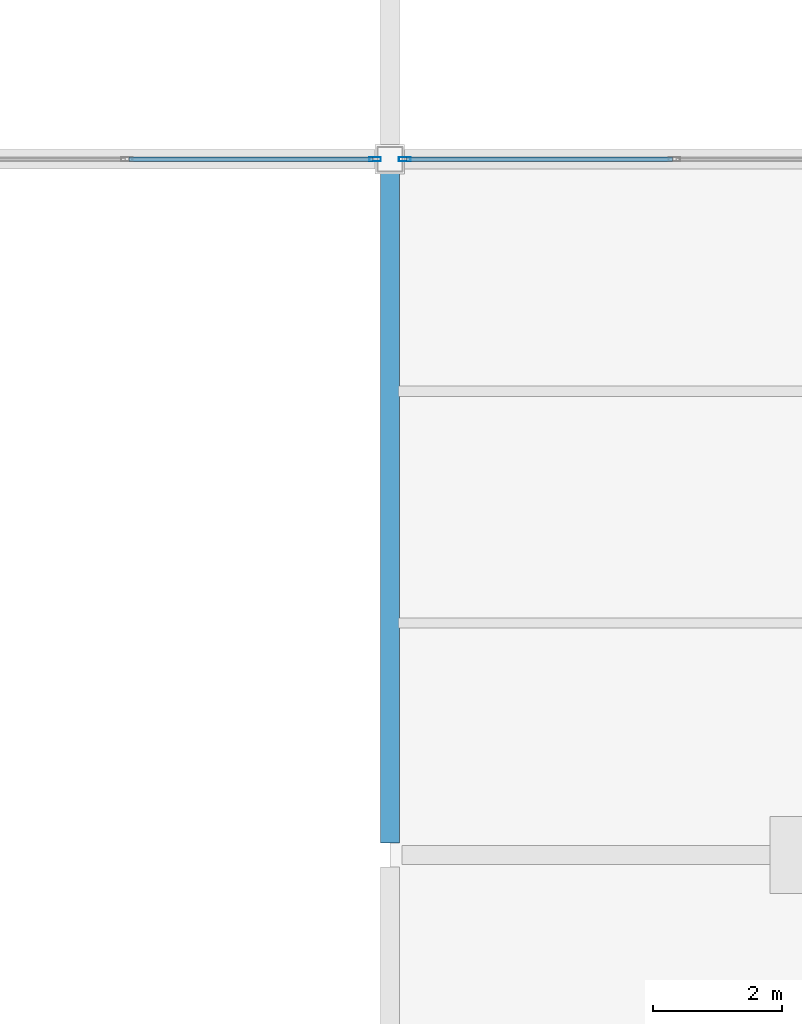
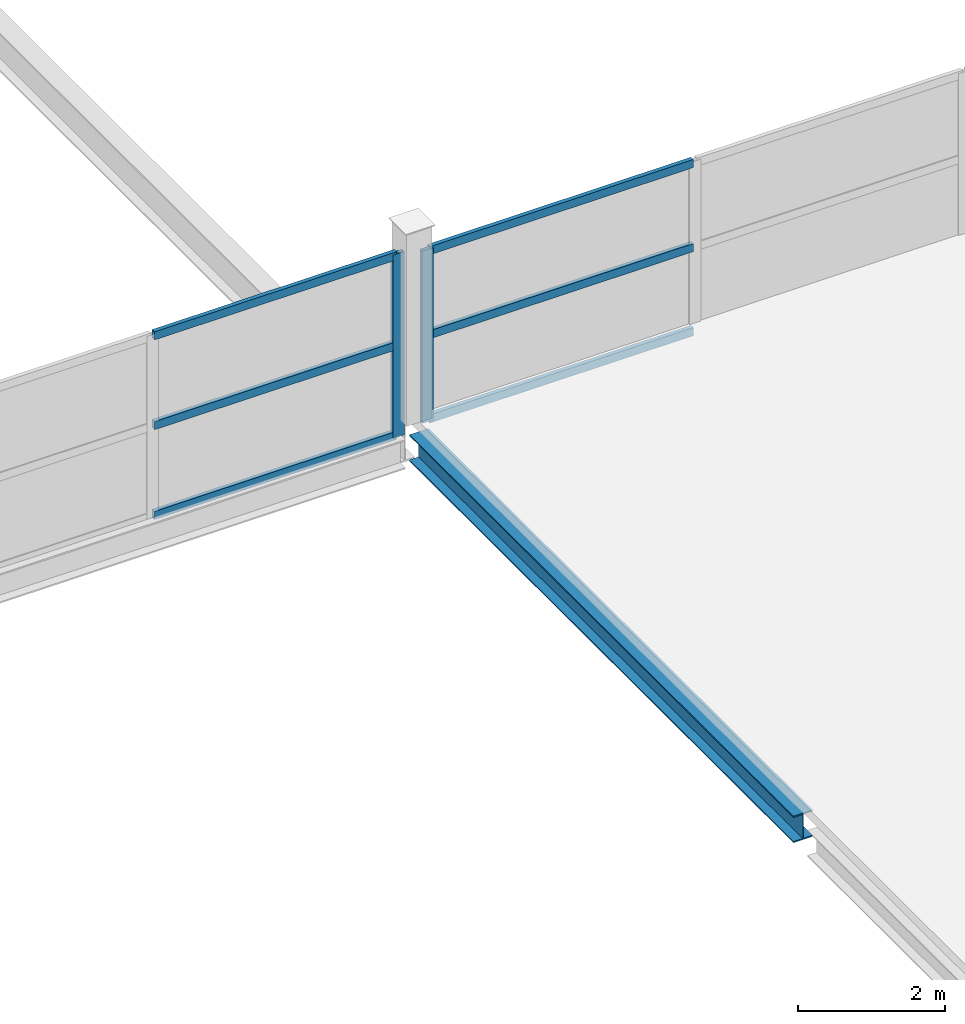
# One storey, part 83 of 134: 8 members, 1 beam, 2 elements without a shape of their own.
"""IFC4 building model written with IfcOpenShell, lengths in metres."""

from ifc_helpers import new_model, si_unit, direction, frame, origin, origin_2d, place, context, subcontext, project, spatial, hollow_rectangle, i_section, extrude, material, layer, layer_set, material_profile, profile_set, type_object, element, aggregate, save


model = new_model("IFC4")

# Units and contexts
model_context = context("Model", 3, precision=1e-05, world=origin(), true_north=direction((0.0, 1.0)))
body_context = subcontext(model_context, "Body", "Model", "MODEL_VIEW")
ifc_project = project(units=[si_unit("LENGTHUNIT", "METRE"), si_unit("AREAUNIT", "SQUARE_METRE"), si_unit("VOLUMEUNIT", "CUBIC_METRE"), si_unit("PLANEANGLEUNIT", "RADIAN"), si_unit("MASSUNIT", "GRAM", prefix="KILO")], contexts=[model_context])

# Site, building, storey
site_placement = place(None, origin())
site = spatial("IfcSite", under=ifc_project, at=site_placement, CompositionType="ELEMENT")
building_placement = place(site_placement, origin())
building = spatial("IfcBuilding", under=site, at=building_placement, Name="Tamarisk Ironworks Central Station", CompositionType="ELEMENT")
storey_placement = place(building_placement, frame((0.0, 0.0, 12.60009765625)))
storey = spatial("IfcBuildingStorey", under=building, at=storey_placement, Name="L02", CompositionType="ELEMENT", Elevation=12.60009765625)

# Beam
ifc_material_1 = material(Name="Structural steel S355J2", Category="steel")
ifc_material_profile_1 = material_profile(ifc_material_1, i_section(OverallWidth=0.300048828125, OverallDepth=0.43994140625, WebThickness=0.011474609375, FlangeThickness=0.02099609375, at=origin_2d()), Name="HEA 450")
ifc_profile_set_1 = profile_set([ifc_material_profile_1], Name="Structural steel S355J2")
beam_type = type_object("IfcBeamType", Name="BM-G06", PredefinedType="BEAM", material=ifc_profile_set_1)
beam_placement = place(storey_placement, frame((140.0, 10.988037109375, -0.380126953125), z_axis=(0.0, 1.0, 0.0), x_axis=(-1.0, 0.0, 0.0)))
element("IfcBeam", 1, at=beam_placement, inside=storey, type_object=beam_type, Name="L02 primary girder Y-0503", PredefinedType="BEAM", context=body_context, shape_type="SweptSolid", body=[
    extrude(i_section(OverallWidth=0.300048828125, OverallDepth=0.43994140625, WebThickness=0.011474609375, FlangeThickness=0.02099609375, at=origin_2d()), origin(), (0.0, 0.0, 1.0), 10.424072265625),
])

# Curtain wall, member
ifc_material_2 = material(Name="Anodized aluminium alloy 6063-T6", Category="aluminium")
ifc_layer = layer(ifc_material_2, 0.179931640625)
ifc_layer_set = layer_set([ifc_layer], Name="Anodized aluminium alloy 6063-T6")
curtain_wall_type = type_object("IfcCurtainWallType", Name="CW-07", PredefinedType="USERDEFINED", material=ifc_layer_set)
curtain_wall_1_placement = place(storey_placement, origin())
curtain_wall_1 = element("IfcCurtainWall", 2, at=curtain_wall_1_placement, inside=storey, type_object=curtain_wall_type, Name="Train shed ES clerestory curtain wall 128", ObjectType="GLAZED CURTAIN WALL", PredefinedType="USERDEFINED")
ifc_material_profile_2 = material_profile(ifc_material_2, hollow_rectangle(XDim=0.06494140625, YDim=0.179931640625, WallThickness=0.00390625, at=origin_2d()), Name="ALUM 180x65")
ifc_profile_set_2 = profile_set([ifc_material_profile_2], Name="Anodized aluminium alloy 6063-T6")
member_type_1 = type_object("IfcMemberType", Name="CWM-02", PredefinedType="MULLION", material=ifc_profile_set_2)
member_1_placement = place(storey_placement, frame((139.76953125, 21.60009765625, -0.260009765625), z_axis=(0.0, 0.0, 1.0), x_axis=(0.0, 1.0, 0.0)))
member_1 = element("IfcMember", 3, at=member_1_placement, type_object=member_type_1, Name="CW07 mullion 4", PredefinedType="MULLION", context=body_context, shape_type="SweptSolid", body=[
    extrude(hollow_rectangle(XDim=0.06494140625, YDim=0.179931640625, WallThickness=0.00390625, at=origin_2d()), origin(), (0.0, 0.0, 1.0), 3.039794921875),
])

curtain_wall_2_placement = place(storey_placement, origin())
curtain_wall_2 = element("IfcCurtainWall", 4, at=curtain_wall_2_placement, inside=storey, type_object=curtain_wall_type, Name="Train shed ES clerestory curtain wall 140", ObjectType="GLAZED CURTAIN WALL", PredefinedType="USERDEFINED")
member_2_placement = place(storey_placement, frame((140.23046875, 21.60009765625, -0.170166015625), z_axis=(0.0, 0.0, 1.0), x_axis=(0.0, 1.0, 0.0)))
member_2 = element("IfcMember", 5, at=member_2_placement, type_object=member_type_1, Name="CW07 mullion 1", PredefinedType="MULLION", context=body_context, shape_type="SweptSolid", body=[
    extrude(hollow_rectangle(XDim=0.06494140625, YDim=0.179931640625, WallThickness=0.00390625, at=origin_2d()), origin(), (0.0, 0.0, 1.0), 2.85009765625),
])

# Member
ifc_material_profile_3 = material_profile(ifc_material_2, hollow_rectangle(XDim=0.06494140625, YDim=0.135009765625, WallThickness=0.00341796875, at=origin_2d()), Name="ALUM 135x65")
ifc_profile_set_3 = profile_set([ifc_material_profile_3], Name="Anodized aluminium alloy 6063-T6")
member_type_2 = type_object("IfcMemberType", Name="CWT-02", PredefinedType="USERDEFINED", material=ifc_profile_set_3)
member_3_placement = place(storey_placement, frame((135.94580078125, 21.60009765625, -0.2275390625), z_axis=(1.0, 0.0, 0.0), x_axis=(0.0, 1.0, 0.0)))
member_3 = element("IfcMember", 6, at=member_3_placement, type_object=member_type_2, Name="CW07 transom 3.1", ObjectType="TRANSOM", PredefinedType="USERDEFINED", context=body_context, shape_type="SweptSolid", body=[
    extrude(hollow_rectangle(XDim=0.06494140625, YDim=0.135009765625, WallThickness=0.00341796875, at=origin_2d()), origin(), (0.0, 0.0, 1.0), 3.795166015625),
])

member_4_placement = place(storey_placement, frame((135.94580078125, 21.60009765625, 1.260009765625), z_axis=(1.0, 0.0, 0.0), x_axis=(0.0, 1.0, 0.0)))
member_4 = element("IfcMember", 7, at=member_4_placement, type_object=member_type_2, Name="CW07 transom 3.2", ObjectType="TRANSOM", PredefinedType="USERDEFINED", context=body_context, shape_type="SweptSolid", body=[
    extrude(hollow_rectangle(XDim=0.06494140625, YDim=0.135009765625, WallThickness=0.00341796875, at=origin_2d()), origin(), (0.0, 0.0, 1.0), 3.795166015625),
])

member_5_placement = place(storey_placement, frame((135.94580078125, 21.60009765625, 2.747314453125), z_axis=(1.0, 0.0, 0.0), x_axis=(0.0, 1.0, 0.0)))
member_5 = element("IfcMember", 8, at=member_5_placement, type_object=member_type_2, Name="CW07 transom 3.3", ObjectType="TRANSOM", PredefinedType="USERDEFINED", context=body_context, shape_type="SweptSolid", body=[
    extrude(hollow_rectangle(XDim=0.06494140625, YDim=0.135009765625, WallThickness=0.00341796875, at=origin_2d()), origin(), (0.0, 0.0, 1.0), 3.795166015625),
])

aggregate(curtain_wall_1, [member_1, member_3, member_4, member_5])

member_6_placement = place(storey_placement, frame((140.259033203125, 21.60009765625, -0.1376953125), z_axis=(1.0, 0.0, 0.0), x_axis=(0.0, 1.0, 0.0)))
member_6 = element("IfcMember", 9, at=member_6_placement, type_object=member_type_2, Name="CW07 transom 1.1", ObjectType="TRANSOM", PredefinedType="USERDEFINED", context=body_context, shape_type="SweptSolid", body=[
    extrude(hollow_rectangle(XDim=0.06494140625, YDim=0.135009765625, WallThickness=0.00341796875, at=origin_2d()), origin(), (0.0, 0.0, 1.0), 4.12841796875),
])

member_7_placement = place(storey_placement, frame((140.259033203125, 21.60009765625, 1.2548828125), z_axis=(1.0, 0.0, 0.0), x_axis=(0.0, 1.0, 0.0)))
member_7 = element("IfcMember", 10, at=member_7_placement, type_object=member_type_2, Name="CW07 transom 1.2", ObjectType="TRANSOM", PredefinedType="USERDEFINED", context=body_context, shape_type="SweptSolid", body=[
    extrude(hollow_rectangle(XDim=0.06494140625, YDim=0.135009765625, WallThickness=0.00341796875, at=origin_2d()), origin(), (0.0, 0.0, 1.0), 4.12841796875),
])

member_8_placement = place(storey_placement, frame((140.259033203125, 21.60009765625, 2.6474609375), z_axis=(1.0, 0.0, 0.0), x_axis=(0.0, 1.0, 0.0)))
member_8 = element("IfcMember", 11, at=member_8_placement, type_object=member_type_2, Name="CW07 transom 1.3", ObjectType="TRANSOM", PredefinedType="USERDEFINED", context=body_context, shape_type="SweptSolid", body=[
    extrude(hollow_rectangle(XDim=0.06494140625, YDim=0.135009765625, WallThickness=0.00341796875, at=origin_2d()), origin(), (0.0, 0.0, 1.0), 4.12841796875),
])

aggregate(curtain_wall_2, [member_2, member_6, member_7, member_8])

save(model, "model.ifc")
